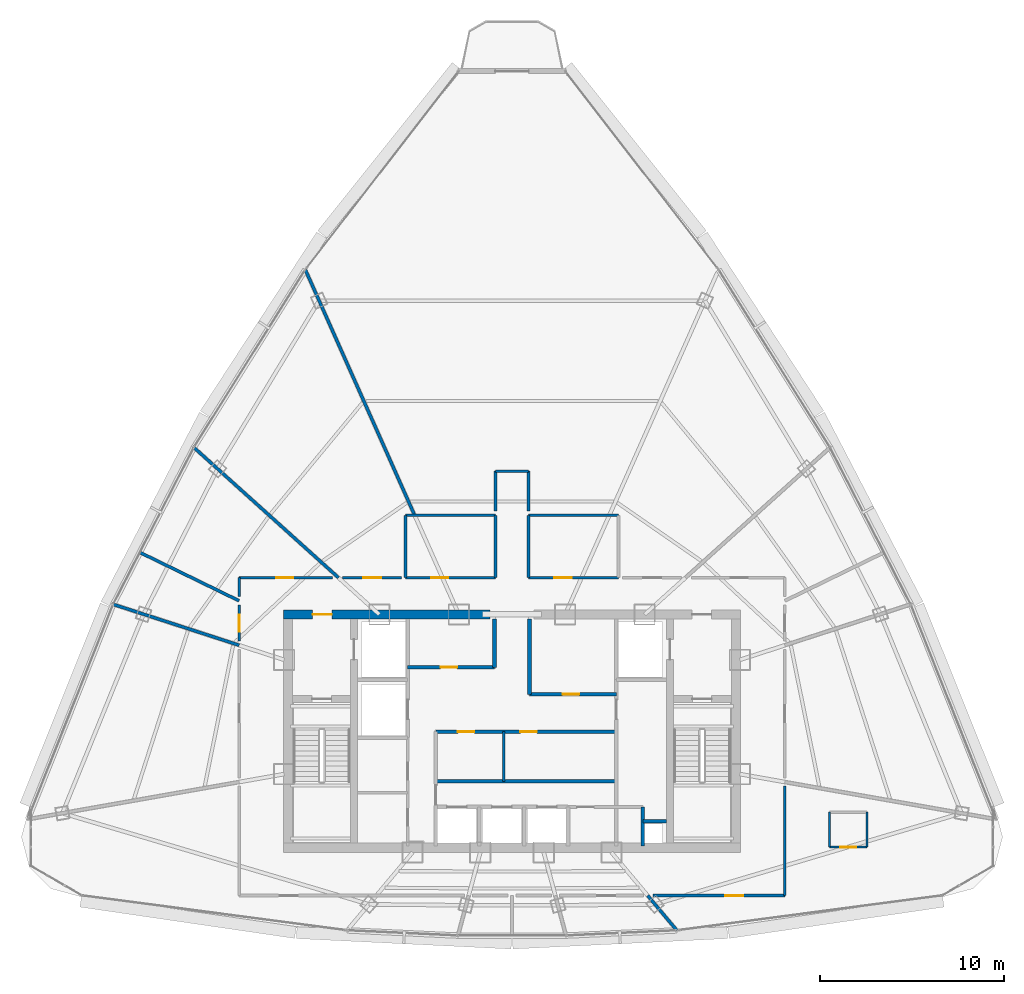
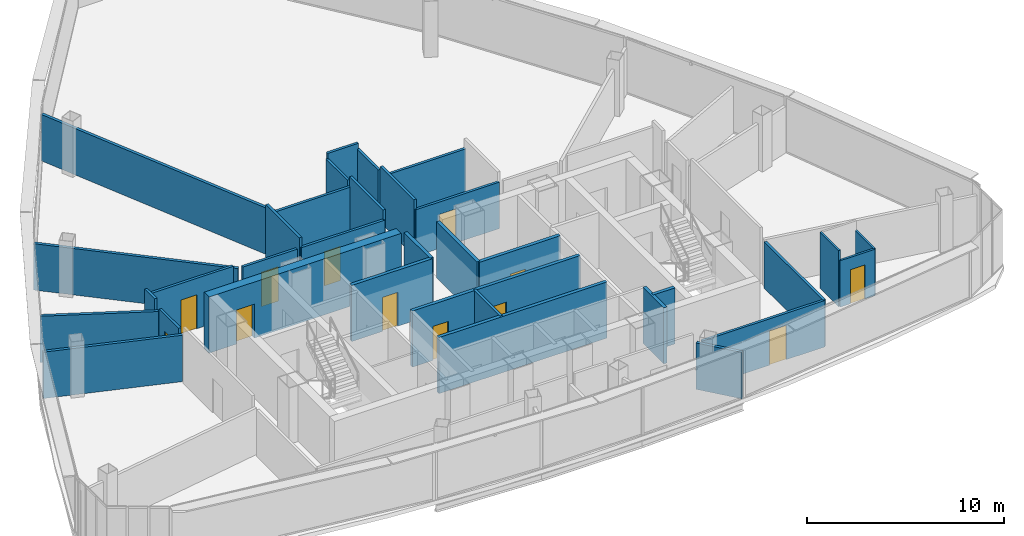
# One storey, part 25 of 29: 34 walls, 12 doors, 12 openings.
"""IFC4 building model written with IfcOpenShell, lengths in metres."""

from ifc_helpers import new_model, si_unit, direction, frame, frame_2d, origin, origin_with_axes, place, context, subcontext, project, spatial, rectangle, extrude, source, transform, mapped, material, layer, layer_set, type_object, element, fill, save


model = new_model("IFC4")

# Units and contexts
model_context = context("Model", 3, precision=1e-05, world=origin(), true_north=direction((0.0, 1.0)))
body_context = subcontext(model_context, "Body", "Model", "MODEL_VIEW")
ifc_project = project(units=[si_unit("LENGTHUNIT", "METRE"), si_unit("AREAUNIT", "SQUARE_METRE"), si_unit("VOLUMEUNIT", "CUBIC_METRE"), si_unit("PLANEANGLEUNIT", "RADIAN"), si_unit("MASSUNIT", "GRAM", prefix="KILO"), si_unit("THERMODYNAMICTEMPERATUREUNIT", "KELVIN"), si_unit("POWERUNIT", "WATT")], contexts=[model_context])

# Site, building, storey
site_placement = place(None, origin())
site = spatial("IfcSite", under=ifc_project, at=site_placement, CompositionType="ELEMENT")
building_placement = place(site_placement, origin())
building = spatial("IfcBuilding", under=site, at=building_placement, Name="Yunzhuo Pagoda Commons", CompositionType="ELEMENT")
storey_placement = place(building_placement, frame((0.0, 0.0, 363.010009765625)))
storey = spatial("IfcBuildingStorey", under=building, at=storey_placement, Name="L91", CompositionType="ELEMENT", Elevation=363.010009765625)

# Wall, opening, door
ifc_material_1 = material(Name="Concrete C50", Category="concrete")
ifc_layer_1 = layer(ifc_material_1, 0.5)
ifc_layer_set_1 = layer_set([ifc_layer_1], Name="Concrete C50")
wall_type_1 = type_object("IfcWallType", Name="W-C03 Upper Core Shear Wall 500", PredefinedType="SHEAR", material=ifc_layer_set_1)
wall_1_placement = place(storey_placement, frame((35.550048828125, 40.199951171875, 0.0), z_axis=(0.0, 0.0, 1.0), x_axis=(1.0, 0.0, 0.0)))
wall_1 = element("IfcWall", 1, at=wall_1_placement, inside=storey, type_object=wall_type_1, Name="L91 core shear wall NW", PredefinedType="SHEAR", context=body_context, shape_type="SweptSolid", body=[
    extrude(rectangle(XDim=11.25, YDim=0.5, at=frame_2d((5.625, 0.0))), origin(), (0.0, 0.0, 1.0), 3.469970703125),
])
opening_1_placement = place(wall_1_placement, frame((1.60009765625, 0.0, 0.0)))
opening_1 = element("IfcOpeningElement", 2, at=opening_1_placement, cuts=wall_1, Name="Opening D-02", PredefinedType="OPENING", context=body_context, shape_type="SweptSolid", body=[
    extrude(rectangle(XDim=1.050048828125, YDim=2.10009765625, at=frame_2d((0.52490234375, 1.050048828125))), frame((0.0, 0.260009765625, 0.0), z_axis=(0.0, -1.0, 0.0), x_axis=(1.0, 0.0, 0.0)), (0.0, 0.0, 1.0), 0.52001953125),
])
ifc_material_2 = material(Name="Galvanized fire-resisting metal leaf")
door_type_1 = type_object("IfcDoorType", Name="D-02 Firefighting Lobby & Refuge Fire Door 1050x2100", OperationType="NOTDEFINED", PredefinedType="DOOR", material=ifc_material_2)
shared_shape_1 = source(origin(), body_context, "Body", "SweptSolid", [
    extrude(rectangle(XDim=1.050048828125, YDim=2.10009765625, at=frame_2d((0.52490234375, 1.050048828125))), frame((0.0, 0.02490234375, 0.0), z_axis=(0.0, -1.0, 0.0), x_axis=(1.0, 0.0, 0.0)), (0.0, 0.0, 1.0), 0.050048828125),
])
door_1_placement = place(opening_1_placement, frame((1.050048828125, 0.0, 0.0), z_axis=(0.0, 0.0, 1.0), x_axis=(-1.0, 0.0, 0.0)))
door_1 = element("IfcDoor", 3, at=door_1_placement, inside=storey, type_object=door_type_1, Name="L91 Firefighting Lobby 1 fire door", OperationType="SINGLE_SWING_LEFT", OverallHeight=2.10009765625, OverallWidth=1.050048828125, PredefinedType="DOOR", context=body_context, shape_type="MappedRepresentation", body=[
    mapped(shared_shape_1, transform((0.0, 0.0, 0.0), scale=1.0)),
])
fill(opening_1, door_1)

# Wall
ifc_material_3 = material(Name="Gypsum plasterboard on acoustic stud")
ifc_layer_2 = layer(ifc_material_3, 0.14990234375)
ifc_layer_set_2 = layer_set([ifc_layer_2], Name="Gypsum plasterboard on acoustic stud")
wall_type_2 = type_object("IfcWallType", Name="W-COR3 High-Zone Rated Corridor Wall 150", PredefinedType="PARTITIONING", material=ifc_layer_set_2)
wall_2_placement = place(storey_placement, frame((47.550048828125, 31.1201171875, 0.0), z_axis=(0.0, 0.0, 1.0), x_axis=(0.0, 1.0, 0.0)))
element("IfcWall", 4, at=wall_2_placement, inside=storey, type_object=wall_type_2, Name="L91 interior wall IW-L91-FRMD", PredefinedType="PARTITIONING", context=body_context, shape_type="SweptSolid", body=[
    extrude(rectangle(XDim=2.699951171875, YDim=0.14990234375, at=frame_2d((1.35009765625, 0.0))), origin(), (0.0, 0.0, 1.0), 3.469970703125),
])

# Wall, opening, door
wall_3_placement = place(storey_placement, frame((42.199951171875, 42.199951171875, 0.0), z_axis=(0.0, 0.0, 1.0), x_axis=(1.0, 0.0, 0.0)))
wall_3 = element("IfcWall", 5, at=wall_3_placement, inside=storey, type_object=wall_type_2, Name="L91 interior wall IW-L91-TFWS", PredefinedType="PARTITIONING", context=body_context, shape_type="SweptSolid", body=[
    extrude(rectangle(XDim=4.900146484375, YDim=0.14990234375, at=frame_2d((2.4501953125, 0.0))), origin(), (0.0, 0.0, 1.0), 2.869873046875),
])
opening_2_placement = place(wall_3_placement, frame((1.39990234375, 0.0, 0.0)))
opening_2 = element("IfcOpeningElement", 6, at=opening_2_placement, cuts=wall_3, Name="Opening D-04", PredefinedType="OPENING", context=body_context, shape_type="SweptSolid", body=[
    extrude(rectangle(XDim=0.919921875, YDim=2.10009765625, at=frame_2d((0.4599609375, 1.050048828125))), frame((0.0, 0.0849609375, 0.0), z_axis=(0.0, -1.0, 0.0), x_axis=(1.0, 0.0, 0.0)), (0.0, 0.0, 1.0), 0.169921875),
])
ifc_material_4 = material(Name="Powder-coated aluminium and timber acoustic leaf", Category="wood")
door_type_2 = type_object("IfcDoorType", Name="D-04 Bedroom & Study Interior Door 920x2100", OperationType="NOTDEFINED", PredefinedType="DOOR", material=ifc_material_4)
shared_shape_2 = source(origin(), body_context, "Body", "SweptSolid", [
    extrude(rectangle(XDim=0.919921875, YDim=2.10009765625, at=frame_2d((0.4599609375, 1.050048828125))), frame((0.0, 0.02490234375, 0.0), z_axis=(0.0, -1.0, 0.0), x_axis=(1.0, 0.0, 0.0)), (0.0, 0.0, 1.0), 0.050048828125),
])
door_2_placement = place(opening_2_placement, frame((0.919921875, 0.0, 0.0), z_axis=(0.0, 0.0, 1.0), x_axis=(-1.0, 0.0, 0.0)))
door_2 = element("IfcDoor", 7, at=door_2_placement, inside=storey, type_object=door_type_2, Name="L91 laundry door", OperationType="SINGLE_SWING_LEFT", OverallHeight=2.10009765625, OverallWidth=0.919921875, PredefinedType="DOOR", context=body_context, shape_type="MappedRepresentation", body=[
    mapped(shared_shape_2, transform((0.0, 0.0, 0.0), scale=1.0)),
])
fill(opening_2, door_2)

# Walls
wall_4_placement = place(storey_placement, frame((42.199951171875, 45.60009765625, 0.0), z_axis=(0.0, 0.0, 1.0), x_axis=(1.0, 0.0, 0.0)))
element("IfcWall", 8, at=wall_4_placement, inside=storey, type_object=wall_type_2, Name="L91 interior wall IW-L91-TFWN", PredefinedType="PARTITIONING", context=body_context, shape_type="SweptSolid", body=[
    extrude(rectangle(XDim=4.900146484375, YDim=0.14990234375, at=frame_2d((2.4501953125, 0.0))), origin(), (0.0, 0.0, 1.0), 2.869873046875),
])
for number, where, z_axis, x_axis, name in (
    (9, (42.199951171875, 42.199951171875, 0.0), (0.0, 0.0, 1.0), (0.0, 1.0, 0.0), "L91 interior wall IW-L91-TFWW"),
    (10, (47.10009765625, 42.199951171875, 0.0), (0.0, 0.0, 1.0), (0.0, 1.0, 0.0), "L91 interior wall IW-L91-TFWE"),
):
    element("IfcWall", number, at=place(storey_placement, frame(where, z_axis=z_axis, x_axis=x_axis)), inside=storey, type_object=wall_type_2, Name=name, PredefinedType="PARTITIONING", context=body_context, shape_type="SweptSolid", body=[
        extrude(rectangle(XDim=3.400146484375, YDim=0.14990234375, at=frame_2d((1.7001953125, 0.0))), origin(), (0.0, 0.0, 1.0), 3.469970703125),
    ])

# Wall, opening, door
wall_5_placement = place(storey_placement, frame((48.89990234375, 42.199951171875, 0.0), z_axis=(0.0, 0.0, 1.0), x_axis=(1.0, 0.0, 0.0)))
wall_5 = element("IfcWall", 11, at=wall_5_placement, inside=storey, type_object=wall_type_2, Name="L91 interior wall IW-L91-TFES", PredefinedType="PARTITIONING", context=body_context, shape_type="SweptSolid", body=[
    extrude(rectangle(XDim=4.900146484375, YDim=0.14990234375, at=frame_2d((2.4501953125, 0.0))), origin(), (0.0, 0.0, 1.0), 2.869873046875),
])
opening_3_placement = place(wall_5_placement, frame((1.39990234375, 0.0, 0.0)))
opening_3 = element("IfcOpeningElement", 12, at=opening_3_placement, cuts=wall_5, Name="Opening D-11", PredefinedType="OPENING", context=body_context, shape_type="SweptSolid", body=[
    extrude(rectangle(XDim=0.93994140625, YDim=2.10009765625, at=frame_2d((0.469970703125, 1.050048828125))), frame((0.0, 0.0849609375, 0.0), z_axis=(0.0, -1.0, 0.0), x_axis=(1.0, 0.0, 0.0)), (0.0, 0.0, 1.0), 0.169921875),
])
door_type_3 = type_object("IfcDoorType", Name="D-11 Accessible Washroom Fire Door 940x2100", OperationType="NOTDEFINED", PredefinedType="DOOR", material=ifc_material_2)
shared_shape_3 = source(origin(), body_context, "Body", "SweptSolid", [
    extrude(rectangle(XDim=0.93994140625, YDim=2.10009765625, at=frame_2d((0.469970703125, 1.050048828125))), frame((0.0, 0.02490234375, 0.0), z_axis=(0.0, -1.0, 0.0), x_axis=(1.0, 0.0, 0.0)), (0.0, 0.0, 1.0), 0.050048828125),
])
door_3_placement = place(opening_3_placement, frame((0.93994140625, 0.0, 0.0), z_axis=(0.0, 0.0, 1.0), x_axis=(-1.0, 0.0, 0.0)))
door_3 = element("IfcDoor", 13, at=door_3_placement, inside=storey, type_object=door_type_3, Name="L91 accessible WC door", OperationType="SINGLE_SWING_RIGHT", OverallHeight=2.10009765625, OverallWidth=0.93994140625, PredefinedType="DOOR", context=body_context, shape_type="MappedRepresentation", body=[
    mapped(shared_shape_3, transform((0.0, 0.0, 0.0), scale=1.0)),
])
fill(opening_3, door_3)

# Walls
wall_6_placement = place(storey_placement, frame((48.89990234375, 45.60009765625, 0.0), z_axis=(0.0, 0.0, 1.0), x_axis=(1.0, 0.0, 0.0)))
element("IfcWall", 14, at=wall_6_placement, inside=storey, type_object=wall_type_2, Name="L91 interior wall IW-L91-TFEN", PredefinedType="PARTITIONING", context=body_context, shape_type="SweptSolid", body=[
    extrude(rectangle(XDim=4.900146484375, YDim=0.14990234375, at=frame_2d((2.4501953125, 0.0))), origin(), (0.0, 0.0, 1.0), 2.869873046875),
])
wall_7_placement = place(storey_placement, frame((48.89990234375, 42.199951171875, 0.0), z_axis=(0.0, 0.0, 1.0), x_axis=(0.0, 1.0, 0.0)))
element("IfcWall", 15, at=wall_7_placement, inside=storey, type_object=wall_type_2, Name="L91 interior wall IW-L91-TFEW", PredefinedType="PARTITIONING", context=body_context, shape_type="SweptSolid", body=[
    extrude(rectangle(XDim=3.400146484375, YDim=0.14990234375, at=frame_2d((1.7001953125, 0.0))), origin(), (0.0, 0.0, 1.0), 3.469970703125),
])

# Wall, opening, door
wall_8_placement = place(storey_placement, frame((33.14990234375, 38.75634765625, 0.0), z_axis=(0.0, 0.0, 1.0), x_axis=(0.0, 1.0, 0.0)))
wall_8 = element("IfcWall", 16, at=wall_8_placement, inside=storey, type_object=wall_type_2, Name="L91 interior wall IW-L91-CWL03", PredefinedType="PARTITIONING", context=body_context, shape_type="SweptSolid", body=[
    extrude(rectangle(XDim=1.966552734375, YDim=0.14990234375, at=frame_2d((0.9833984375, 0.0))), origin(), (0.0, 0.0, 1.0), 3.119873046875),
])
opening_4_placement = place(wall_8_placement, frame((0.517578125, 0.0, 0.0)))
opening_4 = element("IfcOpeningElement", 17, at=opening_4_placement, cuts=wall_8, Name="Opening D-12", PredefinedType="OPENING", context=body_context, shape_type="SweptSolid", body=[
    extrude(rectangle(XDim=0.89990234375, YDim=2.080078125, at=frame_2d((0.449951171875, 1.0400390625))), frame((0.0, 0.0849609375, 0.0), z_axis=(0.0, -1.0, 0.0), x_axis=(1.0, 0.0, 0.0)), (0.0, 0.0, 1.0), 0.169921875),
])
door_type_4 = type_object("IfcDoorType", Name="D-12 Quiet Study Interior Door 900x2080", OperationType="NOTDEFINED", PredefinedType="DOOR", material=ifc_material_4)
shared_shape_4 = source(origin(), body_context, "Body", "SweptSolid", [
    extrude(rectangle(XDim=0.89990234375, YDim=2.080078125, at=frame_2d((0.449951171875, 1.0400390625))), frame((0.0, 0.02490234375, 0.0), z_axis=(0.0, -1.0, 0.0), x_axis=(1.0, 0.0, 0.0)), (0.0, 0.0, 1.0), 0.050048828125),
])
door_4_placement = place(opening_4_placement, origin_with_axes())
door_4 = element("IfcDoor", 18, at=door_4_placement, inside=storey, type_object=door_type_4, Name="L91 study lounge 07 door", OperationType="SINGLE_SWING_RIGHT", OverallHeight=2.080078125, OverallWidth=0.89990234375, PredefinedType="DOOR", context=body_context, shape_type="MappedRepresentation", body=[
    mapped(shared_shape_4, transform((0.0, 0.0, 0.0), scale=1.0)),
])
fill(opening_4, door_4)

# Wall
wall_9_placement = place(storey_placement, frame((33.14990234375, 41.1875, 0.0), z_axis=(0.0, 0.0, 1.0), x_axis=(0.0, 1.0, 0.0)))
element("IfcWall", 19, at=wall_9_placement, inside=storey, type_object=wall_type_2, Name="L91 interior wall IW-L91-CWL04", PredefinedType="PARTITIONING", context=body_context, shape_type="SweptSolid", body=[
    extrude(rectangle(XDim=1.012451171875, YDim=0.14990234375, at=frame_2d((0.50634765625, 0.0))), origin(), (0.0, 0.0, 1.0), 3.469970703125),
])

# Wall, opening, door
wall_10_placement = place(storey_placement, frame((33.14990234375, 42.199951171875, 0.0), z_axis=(0.0, 0.0, 1.0), x_axis=(1.0, 0.0, 0.0)))
wall_10 = element("IfcWall", 20, at=wall_10_placement, inside=storey, type_object=wall_type_2, Name="L91 interior wall IW-L91-CWL05", PredefinedType="PARTITIONING", context=body_context, shape_type="SweptSolid", body=[
    extrude(rectangle(XDim=5.0810546875, YDim=0.14990234375, at=frame_2d((2.54052734375, 0.0))), origin(), (0.0, 0.0, 1.0), 3.119873046875),
])
opening_5_placement = place(wall_10_placement, frame((2.014892578125, 0.0, 0.0)))
opening_5 = element("IfcOpeningElement", 21, at=opening_5_placement, cuts=wall_10, Name="Opening D-04", PredefinedType="OPENING", context=body_context, shape_type="SweptSolid", body=[
    extrude(rectangle(XDim=0.919921875, YDim=2.10009765625, at=frame_2d((0.4599609375, 1.050048828125))), frame((0.0, 0.0849609375, 0.0), z_axis=(0.0, -1.0, 0.0), x_axis=(1.0, 0.0, 0.0)), (0.0, 0.0, 1.0), 0.169921875),
])
door_5_placement = place(opening_5_placement, origin_with_axes())
door_5 = element("IfcDoor", 22, at=door_5_placement, inside=storey, type_object=door_type_2, Name="L91 fellow workroom 06 door", OperationType="SINGLE_SWING_LEFT", OverallHeight=2.10009765625, OverallWidth=0.919921875, PredefinedType="DOOR", context=body_context, shape_type="MappedRepresentation", body=[
    mapped(shared_shape_2, transform((0.0, 0.0, 0.0), scale=1.0)),
])
fill(opening_5, door_5)

wall_11_placement = place(storey_placement, frame((38.779541015625, 42.199951171875, 0.0), z_axis=(0.0, 0.0, 1.0), x_axis=(1.0, 0.0, 0.0)))
wall_11 = element("IfcWall", 23, at=wall_11_placement, inside=storey, type_object=wall_type_2, Name="L91 interior wall IW-L91-CWL06", PredefinedType="PARTITIONING", context=body_context, shape_type="SweptSolid", body=[
    extrude(rectangle(XDim=3.200439453125, YDim=0.14990234375, at=frame_2d((1.60009765625, 0.0))), origin(), (0.0, 0.0, 1.0), 2.869873046875),
])
opening_6_placement = place(wall_11_placement, frame((1.12548828125, 0.0, 0.0)))
opening_6 = element("IfcOpeningElement", 24, at=opening_6_placement, cuts=wall_11, Name="Opening D-08", PredefinedType="OPENING", context=body_context, shape_type="SweptSolid", body=[
    extrude(rectangle(XDim=0.97998046875, YDim=2.1201171875, at=frame_2d((0.489990234375, 1.06005859375))), frame((0.0, 0.0849609375, 0.0), z_axis=(0.0, -1.0, 0.0), x_axis=(1.0, 0.0, 0.0)), (0.0, 0.0, 1.0), 0.169921875),
])
door_type_5 = type_object("IfcDoorType", Name="D-08 High-Zone Suite Entrance Fire Door 980x2120", OperationType="NOTDEFINED", PredefinedType="DOOR", material=ifc_material_2)
shared_shape_5 = source(origin(), body_context, "Body", "SweptSolid", [
    extrude(rectangle(XDim=0.97998046875, YDim=2.1201171875, at=frame_2d((0.489990234375, 1.06005859375))), frame((0.0, 0.02490234375, 0.0), z_axis=(0.0, -1.0, 0.0), x_axis=(1.0, 0.0, 0.0)), (0.0, 0.0, 1.0), 0.050048828125),
])
door_6_placement = place(opening_6_placement, origin_with_axes())
door_6 = element("IfcDoor", 25, at=door_6_placement, inside=storey, type_object=door_type_5, Name="L91 unit 05 entrance door", OperationType="SINGLE_SWING_RIGHT", OverallHeight=2.1201171875, OverallWidth=0.97998046875, PredefinedType="DOOR", context=body_context, shape_type="MappedRepresentation", body=[
    mapped(shared_shape_5, transform((0.0, 0.0, 0.0), scale=1.0)),
])
fill(opening_6, door_6)

# Walls
wall_12_placement = place(storey_placement, frame((47.10009765625, 45.820068359375, 0.0), z_axis=(0.0, 0.0, 1.0), x_axis=(0.0, 1.0, 0.0)))
element("IfcWall", 26, at=wall_12_placement, inside=storey, type_object=wall_type_2, Name="L91 interior wall IW-L91-CWL07", PredefinedType="PARTITIONING", context=body_context, shape_type="SweptSolid", body=[
    extrude(rectangle(XDim=2.179931640625, YDim=0.14990234375, at=frame_2d((1.08984375, 0.0))), origin(), (0.0, 0.0, 1.0), 3.119873046875),
])
wall_13_placement = place(storey_placement, frame((47.10009765625, 48.0, 0.0), z_axis=(0.0, 0.0, 1.0), x_axis=(1.0, 0.0, 0.0)))
element("IfcWall", 27, at=wall_13_placement, inside=storey, type_object=wall_type_2, Name="L91 interior wall IW-L91-CWL08", PredefinedType="PARTITIONING", context=body_context, shape_type="SweptSolid", body=[
    extrude(rectangle(XDim=1.7998046875, YDim=0.14990234375, at=frame_2d((0.89990234375, 0.0))), origin(), (0.0, 0.0, 1.0), 3.469970703125),
])
wall_14_placement = place(storey_placement, frame((48.89990234375, 48.0, 0.0), z_axis=(0.0, 0.0, 1.0), x_axis=(0.0, -1.0, 0.0)))
element("IfcWall", 28, at=wall_14_placement, inside=storey, type_object=wall_type_2, Name="L91 interior wall IW-L91-CWL09", PredefinedType="PARTITIONING", context=body_context, shape_type="SweptSolid", body=[
    extrude(rectangle(XDim=2.179931640625, YDim=0.14990234375, at=frame_2d((1.08984375, 0.0))), origin(), (0.0, 0.0, 1.0), 3.119873046875),
])
wall_15_placement = place(storey_placement, frame((62.85009765625, 30.858154296875, 0.0), z_axis=(0.0, 0.0, 1.0), x_axis=(0.0, -1.0, 0.0)))
element("IfcWall", 29, at=wall_15_placement, inside=storey, type_object=wall_type_2, Name="L91 interior wall IW-L91-CWL15", PredefinedType="PARTITIONING", context=body_context, shape_type="SweptSolid", body=[
    extrude(rectangle(XDim=5.958251953125, YDim=0.14990234375, at=frame_2d((2.97900390625, 0.0))), origin(), (0.0, 0.0, 1.0), 2.869873046875),
])

# Wall, opening, door
wall_16_placement = place(storey_placement, frame((62.85009765625, 24.89990234375, 0.0), z_axis=(0.0, 0.0, 1.0), x_axis=(-1.0, 0.0, 0.0)))
wall_16 = element("IfcWall", 30, at=wall_16_placement, inside=storey, type_object=wall_type_2, Name="L91 interior wall IW-L91-CWL16", PredefinedType="PARTITIONING", context=body_context, shape_type="SweptSolid", body=[
    extrude(rectangle(XDim=7.1787109375, YDim=0.14990234375, at=frame_2d((3.58935546875, 0.0))), origin(), (0.0, 0.0, 1.0), 2.869873046875),
])
opening_7_placement = place(wall_16_placement, frame((2.250244140625, 0.0, 0.0)))
opening_7 = element("IfcOpeningElement", 31, at=opening_7_placement, cuts=wall_16, Name="Opening D-08", PredefinedType="OPENING", context=body_context, shape_type="SweptSolid", body=[
    extrude(rectangle(XDim=0.97998046875, YDim=2.1201171875, at=frame_2d((0.489990234375, 1.06005859375))), frame((0.0, 0.0849609375, 0.0), z_axis=(0.0, -1.0, 0.0), x_axis=(1.0, 0.0, 0.0)), (0.0, 0.0, 1.0), 0.169921875),
])
door_7_placement = place(opening_7_placement, origin_with_axes())
door_7 = element("IfcDoor", 32, at=door_7_placement, inside=storey, type_object=door_type_5, Name="L91 unit 11 entrance door", OperationType="SINGLE_SWING_RIGHT", OverallHeight=2.1201171875, OverallWidth=0.97998046875, PredefinedType="DOOR", context=body_context, shape_type="MappedRepresentation", body=[
    mapped(shared_shape_5, transform((0.0, 0.0, 0.0), scale=1.0)),
])
fill(opening_7, door_7)

ifc_layer_3 = layer(ifc_material_3, 0.1201171875)
ifc_layer_set_3 = layer_set([ifc_layer_3], Name="Gypsum plasterboard on acoustic stud")
wall_type_3 = type_object("IfcWallType", Name="W-PRT1 Suite & Bathroom Partition 120", PredefinedType="PARTITIONING", material=ifc_layer_set_3)
wall_17_placement = place(storey_placement, frame((65.27490234375, 27.5400390625, 0.0), z_axis=(0.0, 0.0, 1.0), x_axis=(1.0, 0.0, 0.0)))
wall_17 = element("IfcWall", 33, at=wall_17_placement, inside=storey, type_object=wall_type_3, Name="L91 interior wall IW-L91-B11S", PredefinedType="PARTITIONING", context=body_context, shape_type="SweptSolid", body=[
    extrude(rectangle(XDim=2.050048828125, YDim=0.1201171875, at=frame_2d((1.02490234375, 0.0))), origin(), (0.0, 0.0, 1.0), 2.869873046875),
])
opening_8_placement = place(wall_17_placement, frame((0.60009765625, 0.0, 0.0)))
opening_8 = element("IfcOpeningElement", 34, at=opening_8_placement, cuts=wall_17, Name="Opening D-05", PredefinedType="OPENING", context=body_context, shape_type="SweptSolid", body=[
    extrude(rectangle(XDim=0.85009765625, YDim=2.10009765625, at=frame_2d((0.425048828125, 1.050048828125))), frame((0.0, 0.070068359375, 0.0), z_axis=(0.0, -1.0, 0.0), x_axis=(1.0, 0.0, 0.0)), (0.0, 0.0, 1.0), 0.14013671875),
])
door_type_6 = type_object("IfcDoorType", Name="D-05 En-Suite Bathroom Door 850x2100", OperationType="NOTDEFINED", PredefinedType="DOOR", material=ifc_material_4)
shared_shape_6 = source(origin(), body_context, "Body", "SweptSolid", [
    extrude(rectangle(XDim=0.85009765625, YDim=2.10009765625, at=frame_2d((0.425048828125, 1.050048828125))), frame((0.0, 0.02490234375, 0.0), z_axis=(0.0, -1.0, 0.0), x_axis=(1.0, 0.0, 0.0)), (0.0, 0.0, 1.0), 0.050048828125),
])
door_8_placement = place(opening_8_placement, frame((0.85009765625, 0.0, 0.0), z_axis=(0.0, 0.0, 1.0), x_axis=(-1.0, 0.0, 0.0)))
door_8 = element("IfcDoor", 35, at=door_8_placement, inside=storey, type_object=door_type_6, Name="L91 unit 11 bathroom door", OperationType="SINGLE_SWING_RIGHT", OverallHeight=2.10009765625, OverallWidth=0.85009765625, PredefinedType="DOOR", context=body_context, shape_type="MappedRepresentation", body=[
    mapped(shared_shape_6, transform((0.0, 0.0, 0.0), scale=1.0)),
])
fill(opening_8, door_8)

# Walls
wall_18_placement = place(storey_placement, frame((67.324951171875, 27.5400390625, 0.0), z_axis=(0.0, 0.0, 1.0), x_axis=(0.0, 1.0, 0.0)))
element("IfcWall", 36, at=wall_18_placement, inside=storey, type_object=wall_type_3, Name="L91 interior wall IW-L91-B11E", PredefinedType="PARTITIONING", context=body_context, shape_type="SweptSolid", body=[
    extrude(rectangle(XDim=1.89990234375, YDim=0.1201171875, at=frame_2d((0.949951171875, 0.0))), origin(), (0.0, 0.0, 1.0), 2.869873046875),
])
wall_19_placement = place(storey_placement, frame((65.27490234375, 29.43994140625, 0.0), z_axis=(0.0, 0.0, 1.0), x_axis=(0.0, -1.0, 0.0)))
element("IfcWall", 37, at=wall_19_placement, inside=storey, type_object=wall_type_3, Name="L91 interior wall IW-L91-B11W", PredefinedType="PARTITIONING", context=body_context, shape_type="SweptSolid", body=[
    extrude(rectangle(XDim=1.89990234375, YDim=0.1201171875, at=frame_2d((0.949951171875, 0.0))), origin(), (0.0, 0.0, 1.0), 3.469970703125),
])
ifc_layer_4 = layer(ifc_material_3, 0.169921875)
ifc_layer_set_4 = layer_set([ifc_layer_4], Name="Gypsum plasterboard on acoustic stud")
wall_type_4 = type_object("IfcWallType", Name="W-PRT4 High-Zone Demising Wall 170", PredefinedType="PARTITIONING", material=ifc_layer_set_4)
wall_20_placement = place(storey_placement, frame((42.701904296875, 45.60009765625, 0.0), z_axis=(0.0, 0.0, 1.0), x_axis=(-0.406749951551, 0.913539532212, 0.0)))
element("IfcWall", 38, at=wall_20_placement, inside=storey, type_object=wall_type_4, Name="L91 interior wall IW-L91-RAD04", PredefinedType="PARTITIONING", context=body_context, shape_type="SweptSolid", body=[
    extrude(rectangle(XDim=14.63037109375, YDim=0.169921875, at=frame_2d((7.315185546875, 0.0))), origin(), (0.0, 0.0, 1.0), 2.869873046875),
])
wall_21_placement = place(storey_placement, frame((38.559814453125, 42.199951171875, 0.0), z_axis=(0.0, 0.0, 1.0), x_axis=(-0.743152066897, 0.66912256386, 0.0)))
element("IfcWall", 39, at=wall_21_placement, inside=storey, type_object=wall_type_4, Name="L91 interior wall IW-L91-RAD05", PredefinedType="PARTITIONING", context=body_context, shape_type="SweptSolid", body=[
    extrude(rectangle(XDim=10.59619140625, YDim=0.169921875, at=frame_2d((5.298095703125, 0.0))), origin(), (0.0, 0.0, 1.0), 2.869873046875),
])
wall_22_placement = place(storey_placement, frame((33.14990234375, 40.94287109375, 0.0), z_axis=(0.0, 0.0, 1.0), x_axis=(-0.898803189206, 0.438352400557, 0.0)))
element("IfcWall", 40, at=wall_22_placement, inside=storey, type_object=wall_type_4, Name="L91 interior wall IW-L91-RAD06", PredefinedType="PARTITIONING", context=body_context, shape_type="SweptSolid", body=[
    extrude(rectangle(XDim=6.010009765625, YDim=0.169921875, at=frame_2d((3.0048828125, 0.0))), origin(), (0.0, 0.0, 1.0), 2.869873046875),
])
wall_23_placement = place(storey_placement, frame((33.14990234375, 38.525146484375, 0.0), z_axis=(0.0, 0.0, 1.0), x_axis=(-0.951060950279, 0.309003347644, 0.0)))
element("IfcWall", 41, at=wall_23_placement, inside=storey, type_object=wall_type_4, Name="L91 interior wall IW-L91-RAD07", PredefinedType="PARTITIONING", context=body_context, shape_type="SweptSolid", body=[
    extrude(rectangle(XDim=7.207275390625, YDim=0.169921875, at=frame_2d((3.603515625, 0.0))), origin(), (0.0, 0.0, 1.0), 2.869873046875),
])
wall_24_placement = place(storey_placement, frame((55.384033203125, 24.89990234375, 0.0), z_axis=(0.0, 0.0, 1.0), x_axis=(0.642821604445, -0.766015916844, 0.0)))
element("IfcWall", 42, at=wall_24_placement, inside=storey, type_object=wall_type_4, Name="L91 interior wall IW-L91-RAD12", PredefinedType="PARTITIONING", context=body_context, shape_type="SweptSolid", body=[
    extrude(rectangle(XDim=2.47314453125, YDim=0.169921875, at=frame_2d((1.236572265625, 0.0))), origin(), (0.0, 0.0, 1.0), 2.869873046875),
])

# Wall, opening, door
ifc_material_5 = material(Name="Concrete C40", Category="concrete")
ifc_layer_5 = layer(ifc_material_5, 0.199951171875)
ifc_layer_set_5 = layer_set([ifc_layer_5], Name="Concrete C40")
wall_type_5 = type_object("IfcWallType", Name="W-SHF Shaft & Stair Enclosure Wall 200", PredefinedType="SOLIDWALL", material=ifc_layer_set_5)
wall_25_placement = place(storey_placement, frame((42.320068359375, 37.320068359375, 0.0), z_axis=(0.0, 0.0, 1.0), x_axis=(1.0, 0.0, 0.0)))
wall_25 = element("IfcWall", 43, at=wall_25_placement, inside=storey, type_object=wall_type_5, Name="L91 interior wall IW-L91-LBNW", PredefinedType="SOLIDWALL", context=body_context, shape_type="SweptSolid", body=[
    extrude(rectangle(XDim=4.72998046875, YDim=0.199951171875, at=frame_2d((2.364990234375, 0.0))), origin(), (0.0, 0.0, 1.0), 3.469970703125),
])
opening_9_placement = place(wall_25_placement, frame((1.800048828125, 0.0, 0.0)))
opening_9 = element("IfcOpeningElement", 44, at=opening_9_placement, cuts=wall_25, Name="Opening D-03", PredefinedType="OPENING", context=body_context, shape_type="SweptSolid", body=[
    extrude(rectangle(XDim=0.89990234375, YDim=2.10009765625, at=frame_2d((0.449951171875, 1.050048828125))), frame((0.0, 0.10986328125, 0.0), z_axis=(0.0, -1.0, 0.0), x_axis=(1.0, 0.0, 0.0)), (0.0, 0.0, 1.0), 0.219970703125),
])
door_type_7 = type_object("IfcDoorType", Name="D-03 Core Service Fire Door 900x2100", OperationType="NOTDEFINED", PredefinedType="DOOR", material=ifc_material_2)
shared_shape_7 = source(origin(), body_context, "Body", "SweptSolid", [
    extrude(rectangle(XDim=0.89990234375, YDim=2.10009765625, at=frame_2d((0.449951171875, 1.050048828125))), frame((0.0, 0.02490234375, 0.0), z_axis=(0.0, -1.0, 0.0), x_axis=(1.0, 0.0, 0.0)), (0.0, 0.0, 1.0), 0.050048828125),
])
door_9_placement = place(opening_9_placement, frame((0.89990234375, 0.0, 0.0), z_axis=(0.0, 0.0, 1.0), x_axis=(-1.0, 0.0, 0.0)))
door_9 = element("IfcDoor", 45, at=door_9_placement, inside=storey, type_object=door_type_7, Name="L91 core west store door", OperationType="SINGLE_SWING_LEFT", OverallHeight=2.10009765625, OverallWidth=0.89990234375, PredefinedType="DOOR", context=body_context, shape_type="MappedRepresentation", body=[
    mapped(shared_shape_7, transform((0.0, 0.0, 0.0), scale=1.0)),
])
fill(opening_9, door_9)

wall_26_placement = place(storey_placement, frame((48.949951171875, 35.85009765625, 0.0), z_axis=(0.0, 0.0, 1.0), x_axis=(1.0, 0.0, 0.0)))
wall_26 = element("IfcWall", 46, at=wall_26_placement, inside=storey, type_object=wall_type_5, Name="L91 interior wall IW-L91-LBNE", PredefinedType="SOLIDWALL", context=body_context, shape_type="SweptSolid", body=[
    extrude(rectangle(XDim=4.72998046875, YDim=0.199951171875, at=frame_2d((2.364990234375, 0.0))), origin(), (0.0, 0.0, 1.0), 3.469970703125),
])
opening_10_placement = place(wall_26_placement, frame((1.800048828125, 0.0, 0.0)))
opening_10 = element("IfcOpeningElement", 47, at=opening_10_placement, cuts=wall_26, Name="Opening D-03", PredefinedType="OPENING", context=body_context, shape_type="SweptSolid", body=[
    extrude(rectangle(XDim=0.89990234375, YDim=2.10009765625, at=frame_2d((0.449951171875, 1.050048828125))), frame((0.0, 0.10986328125, 0.0), z_axis=(0.0, -1.0, 0.0), x_axis=(1.0, 0.0, 0.0)), (0.0, 0.0, 1.0), 0.219970703125),
])
door_10_placement = place(opening_10_placement, frame((0.89990234375, 0.0, 0.0), z_axis=(0.0, 0.0, 1.0), x_axis=(-1.0, 0.0, 0.0)))
door_10 = element("IfcDoor", 48, at=door_10_placement, inside=storey, type_object=door_type_7, Name="L91 core east store door", OperationType="SINGLE_SWING_RIGHT", OverallHeight=2.10009765625, OverallWidth=0.89990234375, PredefinedType="DOOR", context=body_context, shape_type="MappedRepresentation", body=[
    mapped(shared_shape_7, transform((0.0, 0.0, 0.0), scale=1.0)),
])
fill(opening_10, door_10)

# Walls
wall_27_placement = place(storey_placement, frame((47.050048828125, 37.320068359375, 0.0), z_axis=(0.0, 0.0, 1.0), x_axis=(0.0, 1.0, 0.0)))
element("IfcWall", 49, at=wall_27_placement, inside=storey, type_object=wall_type_5, Name="L91 interior wall IW-L91-THRW", PredefinedType="SOLIDWALL", context=body_context, shape_type="SweptSolid", body=[
    extrude(rectangle(XDim=2.6298828125, YDim=0.199951171875, at=frame_2d((1.31494140625, 0.0))), origin(), (0.0, 0.0, 1.0), 3.469970703125),
])
wall_28_placement = place(storey_placement, frame((48.949951171875, 35.85009765625, 0.0), z_axis=(0.0, 0.0, 1.0), x_axis=(0.0, 1.0, 0.0)))
element("IfcWall", 50, at=wall_28_placement, inside=storey, type_object=wall_type_5, Name="L91 interior wall IW-L91-THRE", PredefinedType="SOLIDWALL", context=body_context, shape_type="SweptSolid", body=[
    extrude(rectangle(XDim=4.099853515625, YDim=0.199951171875, at=frame_2d((2.0498046875, 0.0))), origin(), (0.0, 0.0, 1.0), 3.469970703125),
])

# Wall, openings, doors
wall_29_placement = place(storey_placement, frame((43.85009765625, 33.820068359375, 0.0), z_axis=(0.0, 0.0, 1.0), x_axis=(1.0, 0.0, 0.0)))
wall_29 = element("IfcWall", 51, at=wall_29_placement, inside=storey, type_object=wall_type_5, Name="L91 interior wall IW-L91-MLBS", PredefinedType="SOLIDWALL", context=body_context, shape_type="SweptSolid", body=[
    extrude(rectangle(XDim=9.829833984375, YDim=0.199951171875, at=frame_2d((4.9150390625, 0.0))), origin(), (0.0, 0.0, 1.0), 3.469970703125),
])
opening_11_placement = place(wall_29_placement, frame((1.199951171875, 0.0, 0.0)))
opening_11 = element("IfcOpeningElement", 52, at=opening_11_placement, cuts=wall_29, Name="Opening D-03", PredefinedType="OPENING", context=body_context, shape_type="SweptSolid", body=[
    extrude(rectangle(XDim=0.89990234375, YDim=2.10009765625, at=frame_2d((0.449951171875, 1.050048828125))), frame((0.0, 0.10986328125, 0.0), z_axis=(0.0, -1.0, 0.0), x_axis=(1.0, 0.0, 0.0)), (0.0, 0.0, 1.0), 0.219970703125),
])
opening_12_placement = place(wall_29_placement, frame((4.60009765625, 0.0, 0.0)))
opening_12 = element("IfcOpeningElement", 53, at=opening_12_placement, cuts=wall_29, Name="Opening D-03", PredefinedType="OPENING", context=body_context, shape_type="SweptSolid", body=[
    extrude(rectangle(XDim=0.89990234375, YDim=2.10009765625, at=frame_2d((0.449951171875, 1.050048828125))), frame((0.0, 0.10986328125, 0.0), z_axis=(0.0, -1.0, 0.0), x_axis=(1.0, 0.0, 0.0)), (0.0, 0.0, 1.0), 0.219970703125),
])
door_11_placement = place(opening_11_placement, origin_with_axes())
door_11 = element("IfcDoor", 54, at=door_11_placement, inside=storey, type_object=door_type_7, Name="L91 core mid-west store door", OperationType="SINGLE_SWING_LEFT", OverallHeight=2.10009765625, OverallWidth=0.89990234375, PredefinedType="DOOR", context=body_context, shape_type="MappedRepresentation", body=[
    mapped(shared_shape_7, transform((0.0, 0.0, 0.0), scale=1.0)),
])
fill(opening_11, door_11)
door_12_placement = place(opening_12_placement, origin_with_axes())
door_12 = element("IfcDoor", 55, at=door_12_placement, inside=storey, type_object=door_type_7, Name="L91 core mid-east store door", OperationType="SINGLE_SWING_RIGHT", OverallHeight=2.10009765625, OverallWidth=0.89990234375, PredefinedType="DOOR", context=body_context, shape_type="MappedRepresentation", body=[
    mapped(shared_shape_7, transform((0.0, 0.0, 0.0), scale=1.0)),
])
fill(opening_12, door_12)

# Walls
wall_30_placement = place(storey_placement, frame((43.85009765625, 31.1201171875, 0.0), z_axis=(0.0, 0.0, 1.0), x_axis=(1.0, 0.0, 0.0)))
element("IfcWall", 56, at=wall_30_placement, inside=storey, type_object=wall_type_5, Name="L91 interior wall IW-L91-PLMS2", PredefinedType="SOLIDWALL", context=body_context, shape_type="SweptSolid", body=[
    extrude(rectangle(XDim=9.829833984375, YDim=0.199951171875, at=frame_2d((4.9150390625, 0.0))), origin(), (0.0, 0.0, 1.0), 3.469970703125),
])
wall_31_placement = place(storey_placement, frame((55.1201171875, 27.60009765625, 0.0), z_axis=(0.0, 0.0, 1.0), x_axis=(0.0, 1.0, 0.0)))
element("IfcWall", 57, at=wall_31_placement, inside=storey, type_object=wall_type_5, Name="L91 interior wall IW-L91-RSHFW", PredefinedType="SOLIDWALL", context=body_context, shape_type="SweptSolid", body=[
    extrude(rectangle(XDim=2.119873046875, YDim=0.199951171875, at=frame_2d((1.06005859375, 0.0))), origin(), (0.0, 0.0, 1.0), 3.469970703125),
])
wall_32_placement = place(storey_placement, frame((55.1201171875, 28.949951171875, 0.0), z_axis=(0.0, 0.0, 1.0), x_axis=(1.0, 0.0, 0.0)))
element("IfcWall", 58, at=wall_32_placement, inside=storey, type_object=wall_type_5, Name="L91 interior wall IW-L91-RSHFN", PredefinedType="SOLIDWALL", context=body_context, shape_type="SweptSolid", body=[
    extrude(rectangle(XDim=1.27978515625, YDim=0.199951171875, at=frame_2d((0.639892578125, 0.0))), origin(), (0.0, 0.0, 1.0), 3.469970703125),
])

save(model, "model.ifc")
